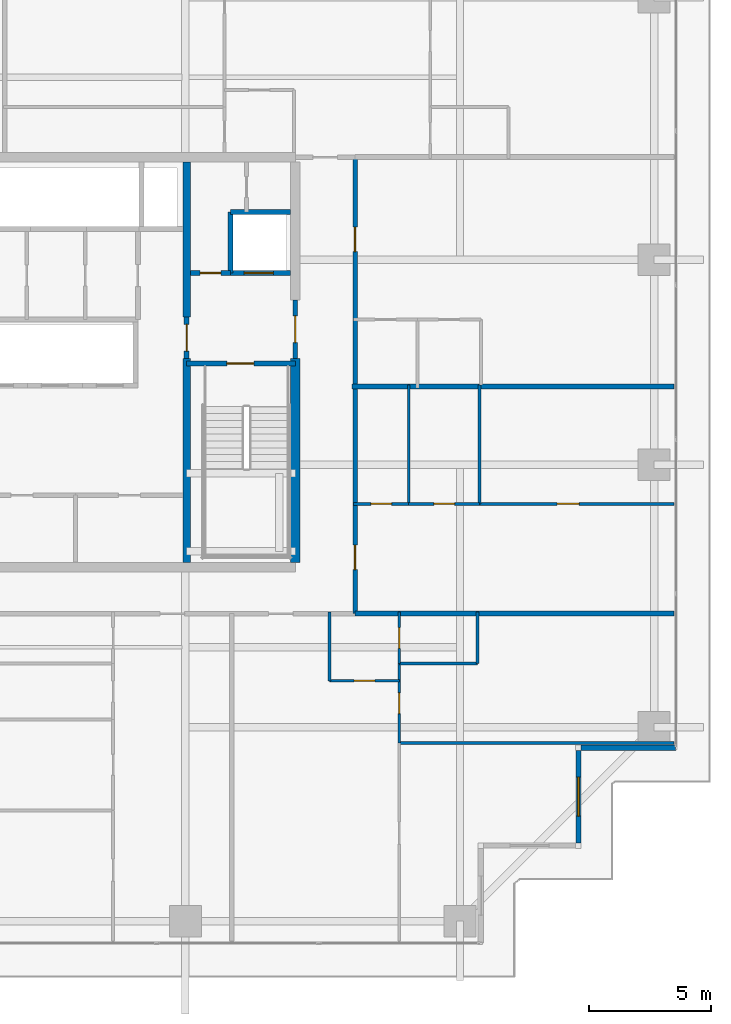
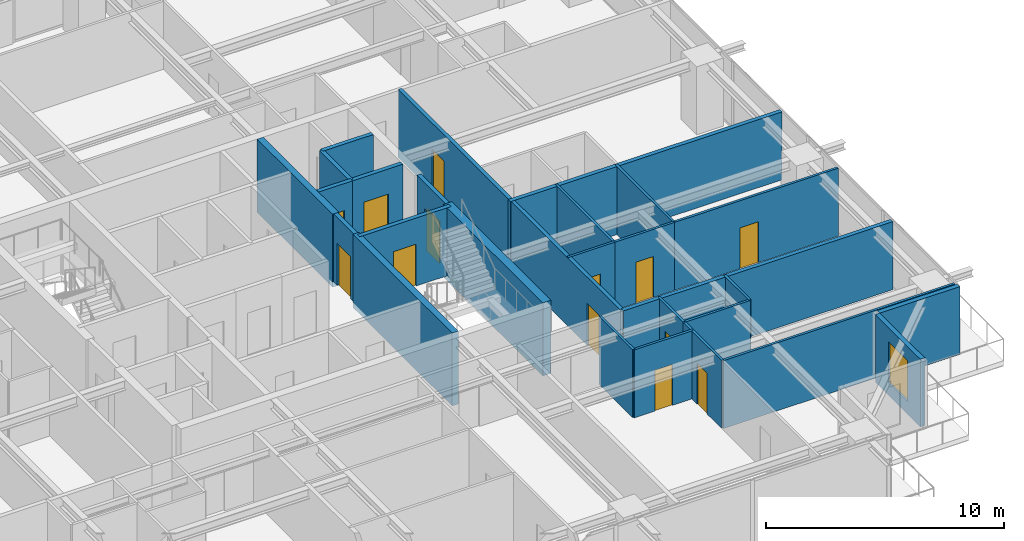
# One storey, part 29 of 37: 27 walls, 13 doors, 1 window, 14 openings.
"""IFC4 building model written with IfcOpenShell, lengths in metres."""

from ifc_helpers import new_model, si_unit, direction, frame, frame_2d, origin, place, context, subcontext, project, spatial, rectangle, extrude, source, transform, mapped, material, layer, layer_set, type_object, element, fill, save


model = new_model("IFC4")

# Units and contexts
model_context = context("Model", 3, precision=1e-05, world=origin(), true_north=direction((0.0, 1.0)))
body_context = subcontext(model_context, "Body", "Model", "MODEL_VIEW")
ifc_project = project(units=[si_unit("LENGTHUNIT", "METRE"), si_unit("AREAUNIT", "SQUARE_METRE"), si_unit("VOLUMEUNIT", "CUBIC_METRE"), si_unit("PLANEANGLEUNIT", "RADIAN"), si_unit("MASSUNIT", "GRAM", prefix="KILO")], contexts=[model_context])

# Site, building, storey
site_placement = place(None, origin())
site = spatial("IfcSite", under=ifc_project, at=site_placement, CompositionType="ELEMENT")
building_placement = place(site_placement, origin())
building = spatial("IfcBuilding", under=site, at=building_placement, Name="Serunith Strait Residences", CompositionType="ELEMENT")
storey_placement = place(building_placement, frame((0.0, 0.0, 138.89990234375)))
storey = spatial("IfcBuildingStorey", under=building, at=storey_placement, Name="L34", CompositionType="ELEMENT", Elevation=138.89990234375)

# Wall, opening, window
ifc_material_1 = material(Name="Pale-Champagne Aluminium Insulated Panel", Category="aluminium")
ifc_layer_1 = layer(ifc_material_1, 0.219970703125, Name="Pale-Champagne Aluminium Insulated Panel")
ifc_layer_set_1 = layer_set([ifc_layer_1], Name="Pale-Champagne Aluminium Insulated Panel")
wall_type_1 = type_object("IfcWallType", Name="EW-ALUM-220", PredefinedType="ELEMENTEDWALL", material=ifc_layer_set_1)
wall_1_placement = place(storey_placement, frame((53.0, 5.510009765625, 0.0), z_axis=(0.0, 0.0, 1.0), x_axis=(0.0, 1.0, 0.0)))
wall_1 = element("IfcWall", 1, at=wall_1_placement, inside=storey, type_object=wall_type_1, Name="L34 Girih Serrated Corner Wall 04", PredefinedType="ELEMENTEDWALL", context=body_context, shape_type="SweptSolid", body=[
    extrude(rectangle(XDim=3.780029296875, YDim=0.219970703125, at=frame_2d((1.89013671875, 0.0))), origin(), (0.0, 0.0, 1.0), 3.47509765625),
])
opening_1_placement = place(wall_1_placement, frame((1.090087890625, 0.0, 0.64990234375)))
opening_1 = element("IfcOpeningElement", 2, at=opening_1_placement, cuts=wall_1, Name="Opening W-02", PredefinedType="OPENING", context=body_context, shape_type="SweptSolid", body=[
    extrude(rectangle(XDim=1.60009765625, YDim=2.10009765625, at=frame_2d((0.800048828125, 1.050048828125))), frame((0.0, 0.1201171875, 0.0), z_axis=(0.0, -1.0, 0.0), x_axis=(1.0, 0.0, 0.0)), (0.0, 0.0, 1.0), 0.239990234375),
])
ifc_material_2 = material(Name="Ceramic-Fritted Operable Aluminium Window Glass", Category="aluminium")
window_type = type_object("IfcWindowType", Name="WIN-C2", PartitioningType="DOUBLE_PANEL_VERTICAL", PredefinedType="WINDOW", material=ifc_material_2)
shared_shape_1 = source(origin(), body_context, "Body", "SweptSolid", [
    extrude(rectangle(XDim=1.60009765625, YDim=2.10009765625, at=frame_2d((0.800048828125, 1.050048828125))), frame((0.0, 0.030029296875, 0.0), z_axis=(0.0, -1.0, 0.0), x_axis=(1.0, 0.0, 0.0)), (0.0, 0.0, 1.0), 0.06005859375),
])
window_placement = place(opening_1_placement, origin())
window = element("IfcWindow", 3, at=window_placement, inside=storey, type_object=window_type, Name="L34 Corner Operable Fritted Window 04", OverallHeight=2.10009765625, OverallWidth=1.60009765625, PartitioningType="SINGLE_PANEL", PredefinedType="WINDOW", context=body_context, shape_type="MappedRepresentation", body=[
    mapped(shared_shape_1, transform((0.0, 0.0, 0.0), scale=1.0)),
])
fill(opening_1, window)

# Wall
wall_2_placement = place(storey_placement, frame((53.110107421875, 9.39990234375, 0.0), z_axis=(0.0, 0.0, 1.0), x_axis=(1.0, 0.0, 0.0)))
element("IfcWall", 4, at=wall_2_placement, inside=storey, type_object=wall_type_1, Name="L34 Girih Serrated Corner Wall 05", PredefinedType="ELEMENTEDWALL", context=body_context, shape_type="SweptSolid", body=[
    extrude(rectangle(XDim=3.889892578125, YDim=0.219970703125, at=frame_2d((1.94482421875, 0.0))), origin(), (0.0, 0.0, 1.0), 3.47509765625),
])

# Wall, openings, doors
ifc_material_3 = material(Name="Fire-rated acoustic gypsum partition")
ifc_layer_2 = layer(ifc_material_3, 0.179931640625, Name="Fire-rated acoustic gypsum partition")
ifc_layer_set_2 = layer_set([ifc_layer_2], Name="Fire-rated acoustic gypsum partition")
wall_type_2 = type_object("IfcWallType", Name="IW-CORR-180", PredefinedType="PARTITIONING", material=ifc_layer_set_2)
wall_3_placement = place(storey_placement, frame((43.85009765625, 14.89990234375, 0.0), z_axis=(0.0, 0.0, 1.0), x_axis=(0.0, 1.0, 0.0)))
wall_3 = element("IfcWall", 5, at=wall_3_placement, inside=storey, type_object=wall_type_2, Name="L34 Partition Wall 030", PredefinedType="PARTITIONING", context=body_context, shape_type="SweptSolid", body=[
    extrude(rectangle(XDim=18.7001953125, YDim=0.179931640625, at=frame_2d((9.35009765625, 0.0))), origin(), (0.0, 0.0, 1.0), 3.489990234375),
])
opening_2_placement = place(wall_3_placement, frame((1.804931640625, 0.0, 0.0)))
opening_2 = element("IfcOpeningElement", 6, at=opening_2_placement, cuts=wall_3, Name="Opening D-APT1000", PredefinedType="OPENING", context=body_context, shape_type="SweptSolid", body=[
    extrude(rectangle(XDim=1.0, YDim=2.14990234375, at=frame_2d((0.5, 1.074951171875))), frame((0.0, 0.10009765625, 0.0), z_axis=(0.0, -1.0, 0.0), x_axis=(1.0, 0.0, 0.0)), (0.0, 0.0, 1.0), 0.199951171875),
])
opening_3_placement = place(wall_3_placement, frame((14.8330078125, 0.0, 0.0)))
opening_3 = element("IfcOpeningElement", 7, at=opening_3_placement, cuts=wall_3, Name="Opening D-APT1000", PredefinedType="OPENING", context=body_context, shape_type="SweptSolid", body=[
    extrude(rectangle(XDim=1.0, YDim=2.14990234375, at=frame_2d((0.5, 1.074951171875))), frame((0.0, 0.10009765625, 0.0), z_axis=(0.0, -1.0, 0.0), x_axis=(1.0, 0.0, 0.0)), (0.0, 0.0, 1.0), 0.199951171875),
])
ifc_material_4 = material(Name="Solid timber engineered fire door", Category="wood")
door_type_1 = type_object("IfcDoorType", Name="ID-APT-1000", OperationType="NOTDEFINED", PredefinedType="DOOR", material=ifc_material_4)
shared_shape_2 = source(origin(), body_context, "Body", "SweptSolid", [
    extrude(rectangle(XDim=1.0, YDim=2.14990234375, at=frame_2d((0.5, 1.074951171875))), frame((0.0, 0.02490234375, 0.0), z_axis=(0.0, -1.0, 0.0), x_axis=(1.0, 0.0, 0.0)), (0.0, 0.0, 1.0), 0.050048828125),
])
door_1_placement = place(opening_2_placement, origin())
door_1 = element("IfcDoor", 8, at=door_1_placement, inside=storey, type_object=door_type_1, Name="L34 Unit 07 Entrance Door", OperationType="SINGLE_SWING_RIGHT", OverallHeight=2.14990234375, OverallWidth=1.0, PredefinedType="DOOR", context=body_context, shape_type="MappedRepresentation", body=[
    mapped(shared_shape_2, transform((0.0, 0.0, 0.0), scale=1.0)),
])
fill(opening_2, door_1)
door_2_placement = place(opening_3_placement, origin())
door_2 = element("IfcDoor", 9, at=door_2_placement, inside=storey, type_object=door_type_1, Name="L34 Unit 08 Entrance Door", OperationType="SINGLE_SWING_LEFT", OverallHeight=2.14990234375, OverallWidth=1.0, PredefinedType="DOOR", context=body_context, shape_type="MappedRepresentation", body=[
    mapped(shared_shape_2, transform((0.0, 0.0, 0.0), scale=1.0)),
])
fill(opening_3, door_2)

# Wall, opening, door
ifc_material_5 = material(Name="Lightweight steel-stud gypsum partition", Category="steel")
ifc_layer_3 = layer(ifc_material_5, 0.1201171875, Name="Lightweight steel-stud gypsum partition")
ifc_layer_set_3 = layer_set([ifc_layer_3], Name="Lightweight steel-stud gypsum partition")
wall_type_3 = type_object("IfcWallType", Name="IW-PART-120", PredefinedType="PARTITIONING", material=ifc_layer_set_3)
wall_4_placement = place(storey_placement, frame((42.81005859375, 12.14990234375, 0.0), z_axis=(0.0, 0.0, 1.0), x_axis=(1.0, 0.0, 0.0)))
wall_4 = element("IfcWall", 10, at=wall_4_placement, inside=storey, type_object=wall_type_3, Name="L34 Partition Wall 048", PredefinedType="PARTITIONING", context=body_context, shape_type="SweptSolid", body=[
    extrude(rectangle(XDim=2.849853515625, YDim=0.1201171875, at=frame_2d((1.4248046875, 0.0))), origin(), (0.0, 0.0, 1.0), 3.489990234375),
])
opening_4_placement = place(wall_4_placement, frame((1.0, 0.0, 0.0)))
opening_4 = element("IfcOpeningElement", 11, at=opening_4_placement, cuts=wall_4, Name="Opening D-RM850", PredefinedType="OPENING", context=body_context, shape_type="SweptSolid", body=[
    extrude(rectangle(XDim=0.85009765625, YDim=2.10009765625, at=frame_2d((0.425048828125, 1.050048828125))), frame((0.0, 0.070068359375, 0.0), z_axis=(0.0, -1.0, 0.0), x_axis=(1.0, 0.0, 0.0)), (0.0, 0.0, 1.0), 0.14013671875),
])
ifc_material_6 = material(Name="Engineered timber flush study and kitchen door", Category="wood")
door_type_2 = type_object("IfcDoorType", Name="ID-ROOM-850", OperationType="NOTDEFINED", PredefinedType="DOOR", material=ifc_material_6)
shared_shape_3 = source(origin(), body_context, "Body", "SweptSolid", [
    extrude(rectangle(XDim=0.85009765625, YDim=2.10009765625, at=frame_2d((0.425048828125, 1.050048828125))), frame((0.0, 0.02490234375, 0.0), z_axis=(0.0, -1.0, 0.0), x_axis=(1.0, 0.0, 0.0)), (0.0, 0.0, 1.0), 0.050048828125),
])
door_3_placement = place(opening_4_placement, origin())
door_3 = element("IfcDoor", 12, at=door_3_placement, inside=storey, type_object=door_type_2, Name="L34 Kitchen 3403 Door", OperationType="SINGLE_SWING_RIGHT", OverallHeight=2.10009765625, OverallWidth=0.85009765625, PredefinedType="DOOR", context=body_context, shape_type="MappedRepresentation", body=[
    mapped(shared_shape_3, transform((0.0, 0.0, 0.0), scale=1.0)),
])
fill(opening_4, door_3)

# Walls
wall_5_placement = place(storey_placement, frame((42.81005859375, 12.14990234375, 0.0), z_axis=(0.0, 0.0, 1.0), x_axis=(0.0, 1.0, 0.0)))
element("IfcWall", 13, at=wall_5_placement, inside=storey, type_object=wall_type_3, Name="L34 Partition Wall 049", PredefinedType="PARTITIONING", context=body_context, shape_type="SweptSolid", body=[
    extrude(rectangle(XDim=2.81005859375, YDim=0.1201171875, at=frame_2d((1.405029296875, 0.0))), origin(), (0.0, 0.0, 1.0), 3.489990234375),
])
wall_6_placement = place(storey_placement, frame((45.659912109375, 9.597900390625, 0.0), z_axis=(0.0, 0.0, 1.0), x_axis=(1.0, 0.0, 0.0)))
element("IfcWall", 14, at=wall_6_placement, inside=storey, type_object=wall_type_3, Name="L34 Partition Wall 051", PredefinedType="PARTITIONING", context=body_context, shape_type="SweptSolid", body=[
    extrude(rectangle(XDim=11.2451171875, YDim=0.1201171875, at=frame_2d((5.62255859375, 0.0))), origin(), (0.0, 0.0, 1.0), 3.489990234375),
])
wall_7_placement = place(storey_placement, frame((45.659912109375, 12.85009765625, 0.0), z_axis=(0.0, 0.0, 1.0), x_axis=(1.0, 0.0, 0.0)))
element("IfcWall", 15, at=wall_7_placement, inside=storey, type_object=wall_type_3, Name="L34 Partition Wall 052", PredefinedType="PARTITIONING", context=body_context, shape_type="SweptSolid", body=[
    extrude(rectangle(XDim=3.2001953125, YDim=0.1201171875, at=frame_2d((1.60009765625, 0.0))), origin(), (0.0, 0.0, 1.0), 3.489990234375),
])
wall_8_placement = place(storey_placement, frame((48.860107421875, 12.85009765625, 0.0), z_axis=(0.0, 0.0, 1.0), x_axis=(0.0, 1.0, 0.0)))
element("IfcWall", 16, at=wall_8_placement, inside=storey, type_object=wall_type_3, Name="L34 Partition Wall 053", PredefinedType="PARTITIONING", context=body_context, shape_type="SweptSolid", body=[
    extrude(rectangle(XDim=2.10986328125, YDim=0.1201171875, at=frame_2d((1.054931640625, 0.0))), origin(), (0.0, 0.0, 1.0), 3.489990234375),
])

# Wall, opening, door
wall_9_placement = place(storey_placement, frame((45.659912109375, 9.60009765625, 0.0), z_axis=(0.0, 0.0, 1.0), x_axis=(0.0, 1.0, 0.0)))
wall_9 = element("IfcWall", 17, at=wall_9_placement, inside=storey, type_object=wall_type_3, Name="L34 Partition Wall 054", PredefinedType="PARTITIONING", context=body_context, shape_type="SweptSolid", body=[
    extrude(rectangle(XDim=3.25, YDim=0.1201171875, at=frame_2d((1.625, 0.0))), origin(), (0.0, 0.0, 1.0), 3.489990234375),
])
opening_5_placement = place(wall_9_placement, frame((1.199951171875, 0.0, 0.0)))
opening_5 = element("IfcOpeningElement", 18, at=opening_5_placement, cuts=wall_9, Name="Opening D-RM850", PredefinedType="OPENING", context=body_context, shape_type="SweptSolid", body=[
    extrude(rectangle(XDim=0.85009765625, YDim=2.10009765625, at=frame_2d((0.425048828125, 1.050048828125))), frame((0.0, 0.070068359375, 0.0), z_axis=(0.0, -1.0, 0.0), x_axis=(1.0, 0.0, 0.0)), (0.0, 0.0, 1.0), 0.14013671875),
])
door_4_placement = place(opening_5_placement, origin())
door_4 = element("IfcDoor", 19, at=door_4_placement, inside=storey, type_object=door_type_2, Name="L34 Walk-in Wardrobe 3403 Door", OperationType="SINGLE_SWING_RIGHT", OverallHeight=2.10009765625, OverallWidth=0.85009765625, PredefinedType="DOOR", context=body_context, shape_type="MappedRepresentation", body=[
    mapped(shared_shape_3, transform((0.0, 0.0, 0.0), scale=1.0)),
])
fill(opening_5, door_4)

wall_10_placement = place(storey_placement, frame((45.659912109375, 12.85205078125, 0.0), z_axis=(0.0, 0.0, 1.0), x_axis=(0.0, 1.0, 0.0)))
wall_10 = element("IfcWall", 20, at=wall_10_placement, inside=storey, type_object=wall_type_3, Name="L34 Partition Wall 055", PredefinedType="PARTITIONING", context=body_context, shape_type="SweptSolid", body=[
    extrude(rectangle(XDim=2.10791015625, YDim=0.1201171875, at=frame_2d((1.053955078125, 0.0))), origin(), (0.0, 0.0, 1.0), 3.489990234375),
])
opening_6_placement = place(wall_10_placement, frame((0.62890625, 0.0, 0.0)))
opening_6 = element("IfcOpeningElement", 21, at=opening_6_placement, cuts=wall_10, Name="Opening D-BTH850", PredefinedType="OPENING", context=body_context, shape_type="SweptSolid", body=[
    extrude(rectangle(XDim=0.85009765625, YDim=2.10009765625, at=frame_2d((0.425048828125, 1.050048828125))), frame((0.0, 0.070068359375, 0.0), z_axis=(0.0, -1.0, 0.0), x_axis=(1.0, 0.0, 0.0)), (0.0, 0.0, 1.0), 0.14013671875),
])
ifc_material_7 = material(Name="Moisture-resistant timber bathroom door", Category="wood")
door_type_3 = type_object("IfcDoorType", Name="ID-BATH-850", OperationType="NOTDEFINED", PredefinedType="DOOR", material=ifc_material_7)
door_5_placement = place(opening_6_placement, origin())
door_5 = element("IfcDoor", 22, at=door_5_placement, inside=storey, type_object=door_type_3, Name="L34 Bathroom 3403 Door", OperationType="SINGLE_SWING_LEFT", OverallHeight=2.10009765625, OverallWidth=0.85009765625, PredefinedType="DOOR", context=body_context, shape_type="MappedRepresentation", body=[
    mapped(shared_shape_3, transform((0.0, 0.0, 0.0), scale=1.0)),
])
fill(opening_6, door_5)

wall_11_placement = place(storey_placement, frame((56.905029296875, 19.39990234375, 0.0), z_axis=(0.0, 0.0, 1.0), x_axis=(-1.0, 0.0, 0.0)))
wall_11 = element("IfcWall", 23, at=wall_11_placement, inside=storey, type_object=wall_type_3, Name="L34 Partition Wall 091", PredefinedType="PARTITIONING", context=body_context, shape_type="SweptSolid", body=[
    extrude(rectangle(XDim=7.950927734375, YDim=0.1201171875, at=frame_2d((3.9755859375, 0.0))), origin(), (0.0, 0.0, 1.0), 3.489990234375),
])
opening_7_placement = place(wall_11_placement, frame((3.8779296875, 0.0, 0.0)))
opening_7 = element("IfcOpeningElement", 24, at=opening_7_placement, cuts=wall_11, Name="Opening D-RM900", PredefinedType="OPENING", context=body_context, shape_type="SweptSolid", body=[
    extrude(rectangle(XDim=0.89990234375, YDim=2.10009765625, at=frame_2d((0.449951171875, 1.050048828125))), frame((0.0, 0.070068359375, 0.0), z_axis=(0.0, -1.0, 0.0), x_axis=(1.0, 0.0, 0.0)), (0.0, 0.0, 1.0), 0.14013671875),
])
ifc_material_8 = material(Name="Engineered timber flush bedroom door", Category="wood")
door_type_4 = type_object("IfcDoorType", Name="ID-ROOM-900", OperationType="NOTDEFINED", PredefinedType="DOOR", material=ifc_material_8)
shared_shape_4 = source(origin(), body_context, "Body", "SweptSolid", [
    extrude(rectangle(XDim=0.89990234375, YDim=2.10009765625, at=frame_2d((0.449951171875, 1.050048828125))), frame((0.0, 0.02490234375, 0.0), z_axis=(0.0, -1.0, 0.0), x_axis=(1.0, 0.0, 0.0)), (0.0, 0.0, 1.0), 0.050048828125),
])
door_6_placement = place(opening_7_placement, origin())
door_6 = element("IfcDoor", 25, at=door_6_placement, inside=storey, type_object=door_type_4, Name="L34 Master Bedroom 1 3407 Door", OperationType="SINGLE_SWING_RIGHT", OverallHeight=2.10009765625, OverallWidth=0.89990234375, PredefinedType="DOOR", context=body_context, shape_type="MappedRepresentation", body=[
    mapped(shared_shape_4, transform((0.0, 0.0, 0.0), scale=1.0)),
])
fill(opening_7, door_6)

# Walls
for number, where, z_axis, x_axis, name in (
    (26, (48.9541015625, 19.39990234375, 0.0), (0.0, 0.0, 1.0), (0.0, 1.0, 0.0), "L34 Partition Wall 092"),
    (27, (46.048095703125, 19.39990234375, 0.0), (0.0, 0.0, 1.0), (0.0, 1.0, 0.0), "L34 Partition Wall 093"),
):
    element("IfcWall", number, at=place(storey_placement, frame(where, z_axis=z_axis, x_axis=x_axis)), inside=storey, type_object=wall_type_3, Name=name, PredefinedType="PARTITIONING", context=body_context, shape_type="SweptSolid", body=[
        extrude(rectangle(XDim=4.860107421875, YDim=0.1201171875, at=frame_2d((2.43017578125, 0.0))), origin(), (0.0, 0.0, 1.0), 3.489990234375),
    ])

# Wall, opening, door
wall_12_placement = place(storey_placement, frame((48.951904296875, 19.39990234375, 0.0), z_axis=(0.0, 0.0, 1.0), x_axis=(-1.0, 0.0, 0.0)))
wall_12 = element("IfcWall", 28, at=wall_12_placement, inside=storey, type_object=wall_type_3, Name="L34 Partition Wall 094", PredefinedType="PARTITIONING", context=body_context, shape_type="SweptSolid", body=[
    extrude(rectangle(XDim=2.90380859375, YDim=0.1201171875, at=frame_2d((1.451904296875, 0.0))), origin(), (0.0, 0.0, 1.0), 3.489990234375),
])
opening_8_placement = place(wall_12_placement, frame((1.027099609375, 0.0, 0.0)))
opening_8 = element("IfcOpeningElement", 29, at=opening_8_placement, cuts=wall_12, Name="Opening D-RM850", PredefinedType="OPENING", context=body_context, shape_type="SweptSolid", body=[
    extrude(rectangle(XDim=0.85009765625, YDim=2.10009765625, at=frame_2d((0.425048828125, 1.050048828125))), frame((0.0, 0.070068359375, 0.0), z_axis=(0.0, -1.0, 0.0), x_axis=(1.0, 0.0, 0.0)), (0.0, 0.0, 1.0), 0.14013671875),
])
door_7_placement = place(opening_8_placement, origin())
door_7 = element("IfcDoor", 30, at=door_7_placement, inside=storey, type_object=door_type_2, Name="L34 Kitchen 3407 Door", OperationType="SINGLE_SWING_LEFT", OverallHeight=2.10009765625, OverallWidth=0.85009765625, PredefinedType="DOOR", context=body_context, shape_type="MappedRepresentation", body=[
    mapped(shared_shape_3, transform((0.0, 0.0, 0.0), scale=1.0)),
])
fill(opening_8, door_7)

wall_13_placement = place(storey_placement, frame((46.0458984375, 19.39990234375, 0.0), z_axis=(0.0, 0.0, 1.0), x_axis=(-1.0, 0.0, 0.0)))
wall_13 = element("IfcWall", 31, at=wall_13_placement, inside=storey, type_object=wall_type_3, Name="L34 Partition Wall 095", PredefinedType="PARTITIONING", context=body_context, shape_type="SweptSolid", body=[
    extrude(rectangle(XDim=2.255859375, YDim=0.1201171875, at=frame_2d((1.1279296875, 0.0))), origin(), (0.0, 0.0, 1.0), 3.489990234375),
])
opening_9_placement = place(wall_13_placement, frame((0.702880859375, 0.0, 0.0)))
opening_9 = element("IfcOpeningElement", 32, at=opening_9_placement, cuts=wall_13, Name="Opening D-BTH850", PredefinedType="OPENING", context=body_context, shape_type="SweptSolid", body=[
    extrude(rectangle(XDim=0.85009765625, YDim=2.10009765625, at=frame_2d((0.425048828125, 1.050048828125))), frame((0.0, 0.070068359375, 0.0), z_axis=(0.0, -1.0, 0.0), x_axis=(1.0, 0.0, 0.0)), (0.0, 0.0, 1.0), 0.14013671875),
])
door_8_placement = place(opening_9_placement, origin())
door_8 = element("IfcDoor", 33, at=door_8_placement, inside=storey, type_object=door_type_3, Name="L34 Bathroom 3407 Door", OperationType="SINGLE_SWING_RIGHT", OverallHeight=2.10009765625, OverallWidth=0.85009765625, PredefinedType="DOOR", context=body_context, shape_type="MappedRepresentation", body=[
    mapped(shared_shape_3, transform((0.0, 0.0, 0.0), scale=1.0)),
])
fill(opening_9, door_8)

# Walls
ifc_material_9 = material(Name="Twin-stud acoustic gypsum board partition")
ifc_layer_4 = layer(ifc_material_9, 0.199951171875, Name="Twin-stud acoustic gypsum board partition")
ifc_layer_set_4 = layer_set([ifc_layer_4], Name="Twin-stud acoustic gypsum board partition")
wall_type_4 = type_object("IfcWallType", Name="IW-PARTY-200", PredefinedType="PARTITIONING", material=ifc_layer_set_4)
wall_14_placement = place(storey_placement, frame((43.72998046875, 24.199951171875, 0.0), z_axis=(0.0, 0.0, 1.0), x_axis=(1.0, 0.0, 0.0)))
element("IfcWall", 34, at=wall_14_placement, inside=storey, type_object=wall_type_4, Name="L34 Partition Wall 023", PredefinedType="PARTITIONING", context=body_context, shape_type="SweptSolid", body=[
    extrude(rectangle(XDim=13.18798828125, YDim=0.199951171875, at=frame_2d((6.593994140625, 0.0))), origin(), (0.0, 0.0, 1.0), 3.489990234375),
])
wall_15_placement = place(storey_placement, frame((43.85009765625, 14.89990234375, 0.0), z_axis=(0.0, 0.0, 1.0), x_axis=(1.0, 0.0, 0.0)))
element("IfcWall", 35, at=wall_15_placement, inside=storey, type_object=wall_type_4, Name="L34 Partition Wall 025", PredefinedType="PARTITIONING", context=body_context, shape_type="SweptSolid", body=[
    extrude(rectangle(XDim=13.06787109375, YDim=0.199951171875, at=frame_2d((6.533935546875, 0.0))), origin(), (0.0, 0.0, 1.0), 3.489990234375),
])

# Wall, opening, door
ifc_material_10 = material(Name="Autoclaved aerated concrete blockwork", Category="masonry")
ifc_layer_5 = layer(ifc_material_10, 0.199951171875, Name="Autoclaved aerated concrete blockwork")
ifc_layer_set_5 = layer_set([ifc_layer_5], Name="Autoclaved aerated concrete blockwork")
wall_type_5 = type_object("IfcWallType", Name="IW-SHAFT-200", PredefinedType="STANDARD", material=ifc_layer_set_5)
wall_16_placement = place(storey_placement, frame((36.949951171875, 25.14990234375, 0.0), z_axis=(0.0, 0.0, 1.0), x_axis=(1.0, 0.0, 0.0)))
wall_16 = element("IfcWall", 36, at=wall_16_placement, inside=storey, type_object=wall_type_5, Name="L34 ST-2 North Shaft Wall", PredefinedType="STANDARD", context=body_context, shape_type="SweptSolid", body=[
    extrude(rectangle(XDim=4.449951171875, YDim=0.199951171875, at=frame_2d((2.22509765625, 0.0))), origin(), (0.0, 0.0, 1.0), 3.489990234375),
])
opening_10_placement = place(wall_16_placement, frame((1.64990234375, 0.0, 0.0)))
opening_10 = element("IfcOpeningElement", 37, at=opening_10_placement, cuts=wall_16, Name="Opening FD-1100", PredefinedType="OPENING", context=body_context, shape_type="SweptSolid", body=[
    extrude(rectangle(XDim=1.10009765625, YDim=2.14990234375, at=frame_2d((0.550048828125, 1.074951171875))), frame((0.0, 0.10986328125, 0.0), z_axis=(0.0, -1.0, 0.0), x_axis=(1.0, 0.0, 0.0)), (0.0, 0.0, 1.0), 0.219970703125),
])
ifc_material_11 = material(Name="Galvanised steel fire door leaf", Category="steel")
door_type_5 = type_object("IfcDoorType", Name="FD-STAIR-1100", OperationType="NOTDEFINED", PredefinedType="DOOR", material=ifc_material_11)
shared_shape_5 = source(origin(), body_context, "Body", "SweptSolid", [
    extrude(rectangle(XDim=1.10009765625, YDim=2.14990234375, at=frame_2d((0.550048828125, 1.074951171875))), frame((0.0, 0.02490234375, 0.0), z_axis=(0.0, -1.0, 0.0), x_axis=(1.0, 0.0, 0.0)), (0.0, 0.0, 1.0), 0.050048828125),
])
door_9_placement = place(opening_10_placement, origin())
door_9 = element("IfcDoor", 38, at=door_9_placement, inside=storey, type_object=door_type_5, Name="L34 ST-2 Escape Stair Door", OperationType="SINGLE_SWING_LEFT", OverallHeight=2.14990234375, OverallWidth=1.10009765625, PredefinedType="DOOR", context=body_context, shape_type="MappedRepresentation", body=[
    mapped(shared_shape_5, transform((0.0, 0.0, 0.0), scale=1.0)),
])
fill(opening_10, door_9)

wall_17_placement = place(storey_placement, frame((38.75, 28.85009765625, 0.0), z_axis=(0.0, 0.0, 1.0), x_axis=(1.0, 0.0, 0.0)))
wall_17 = element("IfcWall", 39, at=wall_17_placement, inside=storey, type_object=wall_type_5, Name="L34 FL-2 South Shaft Wall", PredefinedType="STANDARD", context=body_context, shape_type="SweptSolid", body=[
    extrude(rectangle(XDim=2.449951171875, YDim=0.199951171875, at=frame_2d((1.22509765625, 0.0))), origin(), (0.0, 0.0, 1.0), 3.489990234375),
])
opening_11_placement = place(wall_17_placement, frame((0.550048828125, 0.0, 0.0)))
opening_11 = element("IfcOpeningElement", 40, at=opening_11_placement, cuts=wall_17, Name="Opening LD-FF1200", PredefinedType="OPENING", context=body_context, shape_type="SweptSolid", body=[
    extrude(rectangle(XDim=1.199951171875, YDim=2.199951171875, at=frame_2d((0.60009765625, 1.10009765625))), frame((0.0, 0.10986328125, 0.0), z_axis=(0.0, -1.0, 0.0), x_axis=(1.0, 0.0, 0.0)), (0.0, 0.0, 1.0), 0.219970703125),
])
ifc_material_12 = material(Name="Brushed stainless steel landing door", Category="steel")
door_type_6 = type_object("IfcDoorType", Name="LD-FF-1200", OperationType="DOUBLE_DOOR_SLIDING", PredefinedType="DOOR", material=ifc_material_12)
shared_shape_6 = source(origin(), body_context, "Body", "SweptSolid", [
    extrude(rectangle(XDim=1.199951171875, YDim=2.199951171875, at=frame_2d((0.60009765625, 1.10009765625))), frame((0.0, 0.02490234375, 0.0), z_axis=(0.0, -1.0, 0.0), x_axis=(1.0, 0.0, 0.0)), (0.0, 0.0, 1.0), 0.050048828125),
])
door_10_placement = place(opening_11_placement, origin())
door_10 = element("IfcDoor", 41, at=door_10_placement, inside=storey, type_object=door_type_6, Name="L34 FL-2 Landing Door", OperationType="DOUBLE_DOOR_SLIDING", OverallHeight=2.199951171875, OverallWidth=1.199951171875, PredefinedType="DOOR", context=body_context, shape_type="MappedRepresentation", body=[
    mapped(shared_shape_6, transform((0.0, 0.0, 0.0), scale=1.0)),
])
fill(opening_11, door_10)

# Walls
wall_18_placement = place(storey_placement, frame((38.75, 28.85009765625, 0.0), z_axis=(0.0, 0.0, 1.0), x_axis=(0.0, 1.0, 0.0)))
element("IfcWall", 42, at=wall_18_placement, inside=storey, type_object=wall_type_5, Name="L34 Partition Wall 004", PredefinedType="STANDARD", context=body_context, shape_type="SweptSolid", body=[
    extrude(rectangle(XDim=2.5, YDim=0.199951171875, at=frame_2d((1.25, 0.0))), origin(), (0.0, 0.0, 1.0), 3.489990234375),
])
wall_19_placement = place(storey_placement, frame((38.75, 31.35009765625, 0.0), z_axis=(0.0, 0.0, 1.0), x_axis=(1.0, 0.0, 0.0)))
element("IfcWall", 43, at=wall_19_placement, inside=storey, type_object=wall_type_5, Name="L34 Partition Wall 005", PredefinedType="STANDARD", context=body_context, shape_type="SweptSolid", body=[
    extrude(rectangle(XDim=2.449951171875, YDim=0.199951171875, at=frame_2d((1.22509765625, 0.0))), origin(), (0.0, 0.0, 1.0), 3.489990234375),
])

# Wall, opening, door
wall_20_placement = place(storey_placement, frame((37.10009765625, 28.85009765625, 0.0), z_axis=(0.0, 0.0, 1.0), x_axis=(1.0, 0.0, 0.0)))
wall_20 = element("IfcWall", 44, at=wall_20_placement, inside=storey, type_object=wall_type_5, Name="L34 Partition Wall 006", PredefinedType="STANDARD", context=body_context, shape_type="SweptSolid", body=[
    extrude(rectangle(XDim=1.64794921875, YDim=0.199951171875, at=frame_2d((0.823974609375, 0.0))), origin(), (0.0, 0.0, 1.0), 3.489990234375),
])
opening_12_placement = place(wall_20_placement, frame((0.39892578125, 0.0, 0.0)))
opening_12 = element("IfcOpeningElement", 45, at=opening_12_placement, cuts=wall_20, Name="Opening FD-850", PredefinedType="OPENING", context=body_context, shape_type="SweptSolid", body=[
    extrude(rectangle(XDim=0.85009765625, YDim=2.10009765625, at=frame_2d((0.425048828125, 1.050048828125))), frame((0.0, 0.10986328125, 0.0), z_axis=(0.0, -1.0, 0.0), x_axis=(1.0, 0.0, 0.0)), (0.0, 0.0, 1.0), 0.219970703125),
])
ifc_material_13 = material(Name="Powder-coated steel service closet door", Category="steel")
door_type_7 = type_object("IfcDoorType", Name="FD-BOH-850", OperationType="NOTDEFINED", PredefinedType="DOOR", material=ifc_material_13)
door_11_placement = place(opening_12_placement, origin())
door_11 = element("IfcDoor", 46, at=door_11_placement, inside=storey, type_object=door_type_7, Name="L34 North-East Core Service Door", OperationType="SINGLE_SWING_RIGHT", OverallHeight=2.10009765625, OverallWidth=0.85009765625, PredefinedType="DOOR", context=body_context, shape_type="MappedRepresentation", body=[
    mapped(shared_shape_3, transform((0.0, 0.0, 0.0), scale=1.0)),
])
fill(opening_12, door_11)

wall_21_placement = place(storey_placement, frame((41.39990234375, 25.35205078125, 0.0), z_axis=(0.0, 0.0, 1.0), x_axis=(0.0, 1.0, 0.0)))
wall_21 = element("IfcWall", 47, at=wall_21_placement, inside=storey, type_object=wall_type_5, Name="L34 Partition Wall 008", PredefinedType="STANDARD", context=body_context, shape_type="SweptSolid", body=[
    extrude(rectangle(XDim=2.39599609375, YDim=0.199951171875, at=frame_2d((1.197998046875, 0.0))), origin(), (0.0, 0.0, 1.0), 3.489990234375),
])
opening_13_placement = place(wall_21_placement, frame((0.64794921875, 0.0, 0.0)))
opening_13 = element("IfcOpeningElement", 48, at=opening_13_placement, cuts=wall_21, Name="Opening FD-FFL", PredefinedType="OPENING", context=body_context, shape_type="SweptSolid", body=[
    extrude(rectangle(XDim=1.10009765625, YDim=2.14990234375, at=frame_2d((0.550048828125, 1.074951171875))), frame((0.0, 0.10986328125, 0.0), z_axis=(0.0, -1.0, 0.0), x_axis=(1.0, 0.0, 0.0)), (0.0, 0.0, 1.0), 0.219970703125),
])
ifc_material_14 = material(Name="Glazed steel smoke-lobby fire door", Category="steel")
door_type_8 = type_object("IfcDoorType", Name="FD-FFL-1100", OperationType="NOTDEFINED", PredefinedType="DOOR", material=ifc_material_14)
door_12_placement = place(opening_13_placement, origin())
door_12 = element("IfcDoor", 49, at=door_12_placement, inside=storey, type_object=door_type_8, Name="L34 FFL-2 Corridor Fire Door", OperationType="SINGLE_SWING_RIGHT", OverallHeight=2.14990234375, OverallWidth=1.10009765625, PredefinedType="DOOR", context=body_context, shape_type="MappedRepresentation", body=[
    mapped(shared_shape_5, transform((0.0, 0.0, 0.0), scale=1.0)),
])
fill(opening_13, door_12)

wall_22_placement = place(storey_placement, frame((36.949951171875, 25.35205078125, 0.0), z_axis=(0.0, 0.0, 1.0), x_axis=(0.0, 1.0, 0.0)))
wall_22 = element("IfcWall", 50, at=wall_22_placement, inside=storey, type_object=wall_type_5, Name="L34 Partition Wall 010", PredefinedType="STANDARD", context=body_context, shape_type="SweptSolid", body=[
    extrude(rectangle(XDim=1.696044921875, YDim=0.199951171875, at=frame_2d((0.84814453125, 0.0))), origin(), (0.0, 0.0, 1.0), 3.489990234375),
])
opening_14_placement = place(wall_22_placement, frame((0.298095703125, 0.0, 0.0)))
opening_14 = element("IfcOpeningElement", 51, at=opening_14_placement, cuts=wall_22, Name="Opening FD-FFL", PredefinedType="OPENING", context=body_context, shape_type="SweptSolid", body=[
    extrude(rectangle(XDim=1.10009765625, YDim=2.14990234375, at=frame_2d((0.550048828125, 1.074951171875))), frame((0.0, 0.10986328125, 0.0), z_axis=(0.0, -1.0, 0.0), x_axis=(1.0, 0.0, 0.0)), (0.0, 0.0, 1.0), 0.219970703125),
])
door_13_placement = place(opening_14_placement, origin())
door_13 = element("IfcDoor", 52, at=door_13_placement, inside=storey, type_object=door_type_8, Name="L34 FFL-2 Lift Lobby Door", OperationType="SINGLE_SWING_RIGHT", OverallHeight=2.14990234375, OverallWidth=1.10009765625, PredefinedType="DOOR", context=body_context, shape_type="MappedRepresentation", body=[
    mapped(shared_shape_5, transform((0.0, 0.0, 0.0), scale=1.0)),
])
fill(opening_14, door_13)

# Walls
ifc_material_15 = material(Name="Concrete C70/85", Category="concrete")
ifc_layer_6 = layer(ifc_material_15, 0.300048828125, Name="Concrete C70/85")
ifc_layer_set_6 = layer_set([ifc_layer_6], Name="Concrete C70/85")
wall_type_6 = type_object("IfcWallType", Name="SW-300-C70", PredefinedType="SHEAR", material=ifc_layer_set_6)
wall_23_placement = place(storey_placement, frame((36.949951171875, 17.0, -0.260009765625), z_axis=(0.0, 0.0, 1.0), x_axis=(0.0, 1.0, 0.0)))
element("IfcWall", 53, at=wall_23_placement, inside=storey, type_object=wall_type_6, Name="L34 Core Internal East Web South Pier", PredefinedType="SHEAR", context=body_context, shape_type="SweptSolid", body=[
    extrude(rectangle(XDim=8.35009765625, YDim=0.300048828125, at=frame_2d((4.175048828125, 0.0))), origin(), (0.0, 0.0, 1.0), 3.748046875),
])
wall_24_placement = place(storey_placement, frame((36.949951171875, 27.050048828125, -0.260009765625), z_axis=(0.0, 0.0, 1.0), x_axis=(0.0, 1.0, 0.0)))
element("IfcWall", 54, at=wall_24_placement, inside=storey, type_object=wall_type_6, Name="L34 Core Internal East Web North Pier", PredefinedType="SHEAR", context=body_context, shape_type="SweptSolid", body=[
    extrude(rectangle(XDim=6.349853515625, YDim=0.300048828125, at=frame_2d((3.1748046875, 0.0))), origin(), (0.0, 0.0, 1.0), 3.748046875),
])
ifc_layer_7 = layer(ifc_material_15, 0.39990234375, Name="Concrete C70/85")
ifc_layer_set_7 = layer_set([ifc_layer_7], Name="Concrete C70/85")
wall_type_7 = type_object("IfcWallType", Name="SW-400-C70", PredefinedType="SHEAR", material=ifc_layer_set_7)
wall_25_placement = place(storey_placement, frame((41.39990234375, 17.0, -0.260009765625), z_axis=(0.0, 0.0, 1.0), x_axis=(0.0, 1.0, 0.0)))
element("IfcWall", 55, at=wall_25_placement, inside=storey, type_object=wall_type_7, Name="L34 Core East Shear Wall South Pier", PredefinedType="SHEAR", context=body_context, shape_type="SweptSolid", body=[
    extrude(rectangle(XDim=8.35009765625, YDim=0.39990234375, at=frame_2d((4.175048828125, 0.0))), origin(), (0.0, 0.0, 1.0), 3.748046875),
])

save(model, "model.ifc")
